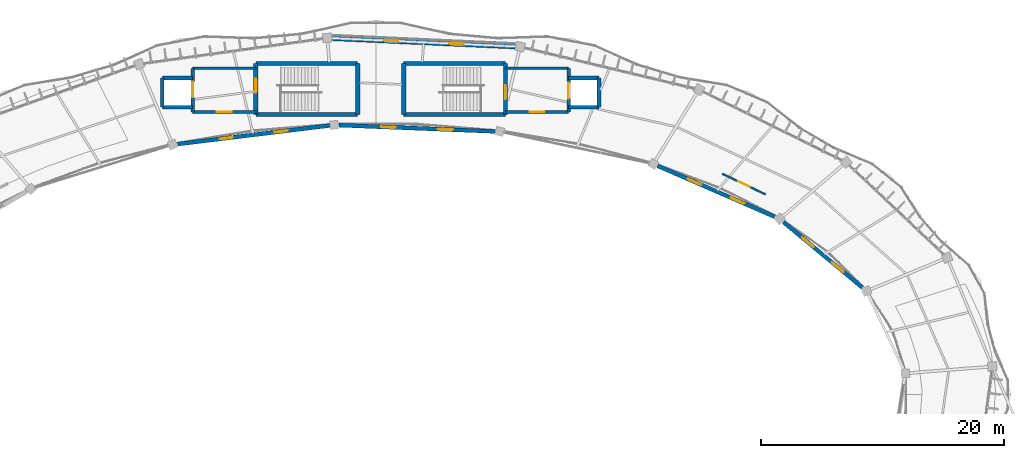
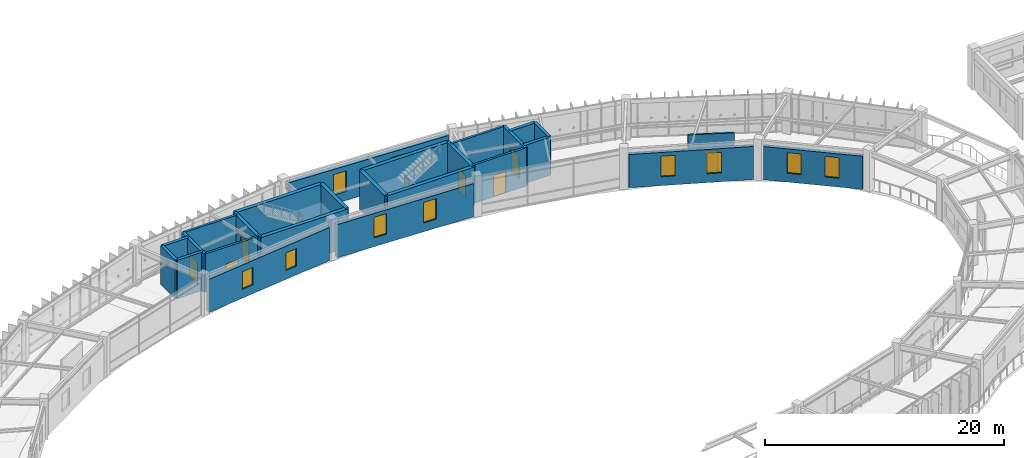
# One storey, part 125 of 152: 26 walls, 10 windows, 7 doors, 17 openings.
"""IFC4 building model written with IfcOpenShell, lengths in metres."""

from ifc_helpers import new_model, si_unit, direction, frame, frame_2d, origin, place, context, subcontext, project, spatial, rectangle, extrude, material, layer, layer_set, type_object, element, fill, save


model = new_model("IFC4")

# Units and contexts
model_context = context("Model", 3, precision=1e-05, world=origin(), true_north=direction((0.0, 1.0)))
body_context = subcontext(model_context, "Body", "Model", "MODEL_VIEW")
ifc_project = project(units=[si_unit("LENGTHUNIT", "METRE"), si_unit("AREAUNIT", "SQUARE_METRE"), si_unit("VOLUMEUNIT", "CUBIC_METRE"), si_unit("PLANEANGLEUNIT", "RADIAN"), si_unit("MASSUNIT", "GRAM", prefix="KILO"), si_unit("THERMODYNAMICTEMPERATUREUNIT", "KELVIN"), si_unit("POWERUNIT", "WATT")], contexts=[model_context])

# Site, building, storey
site_placement = place(None, origin())
site = spatial("IfcSite", under=ifc_project, at=site_placement, CompositionType="ELEMENT")
building_placement = place(site_placement, origin())
building = spatial("IfcBuilding", under=site, at=building_placement, Name="Darbajah Civic Hall", CompositionType="ELEMENT")
storey_placement = place(building_placement, frame((0.0, 0.0, 5.39990234375)))
storey = spatial("IfcBuildingStorey", under=building, at=storey_placement, Name="L01", CompositionType="ELEMENT", Elevation=5.39990234375)

# Wall, opening, door
ifc_material_1 = material(Name="Concrete C45/55", Category="concrete")
ifc_layer_1 = layer(ifc_material_1, 0.300048828125, Name="Concrete C45/55")
ifc_layer_set_1 = layer_set([ifc_layer_1], Name="Concrete C45/55")
wall_type_1 = type_object("IfcWallType", Name="Core Shear Wall 300mm", PredefinedType="SHEAR", material=ifc_layer_set_1)
wall_1_placement = place(storey_placement, frame((74.0, 116.699951171875, 0.0), z_axis=(0.0, 0.0, 1.0), x_axis=(0.0, -1.0, 0.0)))
wall_1 = element("IfcWall", 1, at=wall_1_placement, inside=storey, type_object=wall_type_1, Name="L01 firefighting lobby C01 wall W", PredefinedType="SHEAR", context=body_context, shape_type="SweptSolid", body=[
    extrude(rectangle(XDim=3.599853515625, YDim=0.300048828125, at=frame_2d((1.7998046875, 0.0))), origin(), (0.0, 0.0, 1.0), 3.920166015625),
])
opening_1_placement = place(wall_1_placement, frame((1.10009765625, 0.0, 0.0)))
opening_1 = element("IfcOpeningElement", 2, at=opening_1_placement, cuts=wall_1, Name="Opening LD-0016", PredefinedType="OPENING", context=body_context, shape_type="SweptSolid", body=[
    extrude(rectangle(XDim=1.300048828125, YDim=2.300048828125, at=frame_2d((0.64990234375, 1.14990234375))), frame((0.0, 0.159912109375, 0.0), z_axis=(0.0, -1.0, 0.0), x_axis=(1.0, 0.0, 0.0)), (0.0, 0.0, 1.0), 0.320068359375),
])
ifc_material_2 = material(Name="Firefighting Lift Landing Door")
door_type_1 = type_object("IfcDoorType", Name="Lift Landing Door 1300x2300", OperationType="SLIDING_TO_LEFT", PredefinedType="DOOR", material=ifc_material_2)
door_1_placement = place(opening_1_placement, origin())
door_1 = element("IfcDoor", 3, at=door_1_placement, inside=storey, type_object=door_type_1, Name="L01 firefighting lift FL1 landing door LD-0016", OperationType="SLIDING_TO_LEFT", OverallHeight=2.300048828125, OverallWidth=1.300048828125, PredefinedType="DOOR", context=body_context, shape_type="SweptSolid", body=[
    extrude(rectangle(XDim=1.300048828125, YDim=2.300048828125, at=frame_2d((0.64990234375, 1.14990234375))), frame((0.0, 0.02490234375, 0.0), z_axis=(0.0, -1.0, 0.0), x_axis=(1.0, 0.0, 0.0)), (0.0, 0.0, 1.0), 0.050048828125),
])
fill(opening_1, door_1)

# Walls
for number, where, z_axis, x_axis, name in (
    (4, (74.0, 115.89990234375, 0.0), (0.0, 0.0, 1.0), (-1.0, 0.0, 0.0), "L01 lift FL1 shaft wall N"),
    (5, (71.5, 113.5, 0.0), (0.0, 0.0, 1.0), (1.0, 0.0, 0.0), "L01 lift FL1 shaft wall S"),
):
    element("IfcWall", number, at=place(storey_placement, frame(where, z_axis=z_axis, x_axis=x_axis)), inside=storey, type_object=wall_type_1, Name=name, PredefinedType="SHEAR", context=body_context, shape_type="SweptSolid", body=[
        extrude(rectangle(XDim=2.5, YDim=0.300048828125, at=frame_2d((1.25, 0.0))), origin(), (0.0, 0.0, 1.0), 3.920166015625),
    ])
wall_2_placement = place(storey_placement, frame((71.5, 115.89990234375, 0.0), z_axis=(0.0, 0.0, 1.0), x_axis=(0.0, -1.0, 0.0)))
element("IfcWall", 6, at=wall_2_placement, inside=storey, type_object=wall_type_1, Name="L01 lift FL1 shaft wall OUT", PredefinedType="SHEAR", context=body_context, shape_type="SweptSolid", body=[
    extrude(rectangle(XDim=2.39990234375, YDim=0.300048828125, at=frame_2d((1.199951171875, 0.0))), origin(), (0.0, 0.0, 1.0), 3.920166015625),
])

# Wall, opening, door
wall_3_placement = place(storey_placement, frame((105.0, 113.10009765625, 0.0), z_axis=(0.0, 0.0, 1.0), x_axis=(0.0, 1.0, 0.0)))
wall_3 = element("IfcWall", 7, at=wall_3_placement, inside=storey, type_object=wall_type_1, Name="L01 firefighting lobby C02 wall E", PredefinedType="SHEAR", context=body_context, shape_type="SweptSolid", body=[
    extrude(rectangle(XDim=3.599853515625, YDim=0.300048828125, at=frame_2d((1.7998046875, 0.0))), origin(), (0.0, 0.0, 1.0), 3.920166015625),
])
opening_2_placement = place(wall_3_placement, frame((1.10009765625, 0.0, 0.0)))
opening_2 = element("IfcOpeningElement", 8, at=opening_2_placement, cuts=wall_3, Name="Opening LD-0037", PredefinedType="OPENING", context=body_context, shape_type="SweptSolid", body=[
    extrude(rectangle(XDim=1.300048828125, YDim=2.300048828125, at=frame_2d((0.64990234375, 1.14990234375))), frame((0.0, 0.159912109375, 0.0), z_axis=(0.0, -1.0, 0.0), x_axis=(1.0, 0.0, 0.0)), (0.0, 0.0, 1.0), 0.320068359375),
])
door_2_placement = place(opening_2_placement, origin())
door_2 = element("IfcDoor", 9, at=door_2_placement, inside=storey, type_object=door_type_1, Name="L01 firefighting lift FL2 landing door LD-0037", OperationType="SLIDING_TO_LEFT", OverallHeight=2.300048828125, OverallWidth=1.300048828125, PredefinedType="DOOR", context=body_context, shape_type="SweptSolid", body=[
    extrude(rectangle(XDim=1.300048828125, YDim=2.300048828125, at=frame_2d((0.64990234375, 1.14990234375))), frame((0.0, 0.02490234375, 0.0), z_axis=(0.0, -1.0, 0.0), x_axis=(1.0, 0.0, 0.0)), (0.0, 0.0, 1.0), 0.050048828125),
])
fill(opening_2, door_2)

# Walls
for number, where, z_axis, x_axis, name in (
    (10, (107.5, 115.89990234375, 0.0), (0.0, 0.0, 1.0), (-1.0, 0.0, 0.0), "L01 lift FL2 shaft wall N"),
    (11, (105.0, 113.5, 0.0), (0.0, 0.0, 1.0), (1.0, 0.0, 0.0), "L01 lift FL2 shaft wall S"),
):
    element("IfcWall", number, at=place(storey_placement, frame(where, z_axis=z_axis, x_axis=x_axis)), inside=storey, type_object=wall_type_1, Name=name, PredefinedType="SHEAR", context=body_context, shape_type="SweptSolid", body=[
        extrude(rectangle(XDim=2.5, YDim=0.300048828125, at=frame_2d((1.25, 0.0))), origin(), (0.0, 0.0, 1.0), 3.920166015625),
    ])
wall_4_placement = place(storey_placement, frame((107.5, 113.5, 0.0), z_axis=(0.0, 0.0, 1.0), x_axis=(0.0, 1.0, 0.0)))
element("IfcWall", 12, at=wall_4_placement, inside=storey, type_object=wall_type_1, Name="L01 lift FL2 shaft wall OUT", PredefinedType="SHEAR", context=body_context, shape_type="SweptSolid", body=[
    extrude(rectangle(XDim=2.39990234375, YDim=0.300048828125, at=frame_2d((1.199951171875, 0.0))), origin(), (0.0, 0.0, 1.0), 3.920166015625),
])
ifc_material_3 = material(Name="Concrete C50/60", Category="concrete")
ifc_layer_2 = layer(ifc_material_3, 0.35009765625, Name="Concrete C50/60")
ifc_layer_set_2 = layer_set([ifc_layer_2], Name="Concrete C50/60")
wall_type_2 = type_object("IfcWallType", Name="Core Shear Wall 350mm", PredefinedType="SHEAR", material=ifc_layer_set_2)
wall_5_placement = place(storey_placement, frame((79.199951171875, 112.89990234375, 0.0), z_axis=(0.0, 0.0, 1.0), x_axis=(1.0, 0.0, 0.0)))
element("IfcWall", 13, at=wall_5_placement, inside=storey, type_object=wall_type_2, Name="L01 core C01 shear wall S", PredefinedType="SHEAR", context=body_context, shape_type="SweptSolid", body=[
    extrude(rectangle(XDim=8.400146484375, YDim=0.35009765625, at=frame_2d((4.2001953125, 0.0))), origin(), (0.0, 0.0, 1.0), 3.920166015625),
])
wall_6_placement = place(storey_placement, frame((87.60009765625, 112.89990234375, 0.0), z_axis=(0.0, 0.0, 1.0), x_axis=(0.0, 1.0, 0.0)))
element("IfcWall", 14, at=wall_6_placement, inside=storey, type_object=wall_type_2, Name="L01 core C01 shear wall E", PredefinedType="SHEAR", context=body_context, shape_type="SweptSolid", body=[
    extrude(rectangle(XDim=4.2001953125, YDim=0.35009765625, at=frame_2d((2.10009765625, 0.0))), origin(), (0.0, 0.0, 1.0), 3.920166015625),
])
wall_7_placement = place(storey_placement, frame((87.60009765625, 117.10009765625, 0.0), z_axis=(0.0, 0.0, 1.0), x_axis=(-1.0, 0.0, 0.0)))
element("IfcWall", 15, at=wall_7_placement, inside=storey, type_object=wall_type_2, Name="L01 core C01 shear wall N", PredefinedType="SHEAR", context=body_context, shape_type="SweptSolid", body=[
    extrude(rectangle(XDim=8.400146484375, YDim=0.35009765625, at=frame_2d((4.2001953125, 0.0))), origin(), (0.0, 0.0, 1.0), 3.920166015625),
])

# Wall, opening, door
wall_8_placement = place(storey_placement, frame((79.199951171875, 117.10009765625, 0.0), z_axis=(0.0, 0.0, 1.0), x_axis=(0.0, -1.0, 0.0)))
wall_8 = element("IfcWall", 16, at=wall_8_placement, inside=storey, type_object=wall_type_2, Name="L01 core C01 shear wall W", PredefinedType="SHEAR", context=body_context, shape_type="SweptSolid", body=[
    extrude(rectangle(XDim=4.2001953125, YDim=0.35009765625, at=frame_2d((2.10009765625, 0.0))), origin(), (0.0, 0.0, 1.0), 3.920166015625),
])
opening_3_placement = place(wall_8_placement, frame((1.25, 0.0, 0.0)))
opening_3 = element("IfcOpeningElement", 17, at=opening_3_placement, cuts=wall_8, Name="Opening SD-0003", PredefinedType="OPENING", context=body_context, shape_type="SweptSolid", body=[
    extrude(rectangle(XDim=1.14990234375, YDim=2.199951171875, at=frame_2d((0.574951171875, 1.10009765625))), frame((0.0, 0.18505859375, 0.0), z_axis=(0.0, -1.0, 0.0), x_axis=(1.0, 0.0, 0.0)), (0.0, 0.0, 1.0), 0.3701171875),
])
ifc_material_4 = material(Name="Steel Rated Core Door", Category="steel")
door_type_2 = type_object("IfcDoorType", Name="Interior Door 1150x2200", OperationType="NOTDEFINED", PredefinedType="DOOR", material=ifc_material_4)
door_3_placement = place(opening_3_placement, origin())
door_3 = element("IfcDoor", 18, at=door_3_placement, inside=storey, type_object=door_type_2, Name="L01 stair ST01 fire door SD-0003", OperationType="SINGLE_SWING_RIGHT", OverallHeight=2.199951171875, OverallWidth=1.14990234375, PredefinedType="DOOR", context=body_context, shape_type="SweptSolid", body=[
    extrude(rectangle(XDim=1.14990234375, YDim=2.199951171875, at=frame_2d((0.574951171875, 1.10009765625))), frame((0.0, 0.02490234375, 0.0), z_axis=(0.0, -1.0, 0.0), x_axis=(1.0, 0.0, 0.0)), (0.0, 0.0, 1.0), 0.050048828125),
])
fill(opening_3, door_3)

# Wall
wall_9_placement = place(storey_placement, frame((91.39990234375, 112.89990234375, 0.0), z_axis=(0.0, 0.0, 1.0), x_axis=(1.0, 0.0, 0.0)))
element("IfcWall", 19, at=wall_9_placement, inside=storey, type_object=wall_type_2, Name="L01 core C02 shear wall S", PredefinedType="SHEAR", context=body_context, shape_type="SweptSolid", body=[
    extrude(rectangle(XDim=8.400146484375, YDim=0.35009765625, at=frame_2d((4.2001953125, 0.0))), origin(), (0.0, 0.0, 1.0), 3.920166015625),
])

# Wall, opening, door
wall_10_placement = place(storey_placement, frame((99.800048828125, 112.89990234375, 0.0), z_axis=(0.0, 0.0, 1.0), x_axis=(0.0, 1.0, 0.0)))
wall_10 = element("IfcWall", 20, at=wall_10_placement, inside=storey, type_object=wall_type_2, Name="L01 core C02 shear wall E", PredefinedType="SHEAR", context=body_context, shape_type="SweptSolid", body=[
    extrude(rectangle(XDim=4.2001953125, YDim=0.35009765625, at=frame_2d((2.10009765625, 0.0))), origin(), (0.0, 0.0, 1.0), 3.920166015625),
])
opening_4_placement = place(wall_10_placement, frame((1.25, 0.0, 0.0)))
opening_4 = element("IfcOpeningElement", 21, at=opening_4_placement, cuts=wall_10, Name="Opening SD-0024", PredefinedType="OPENING", context=body_context, shape_type="SweptSolid", body=[
    extrude(rectangle(XDim=1.14990234375, YDim=2.199951171875, at=frame_2d((0.574951171875, 1.10009765625))), frame((0.0, 0.18505859375, 0.0), z_axis=(0.0, -1.0, 0.0), x_axis=(1.0, 0.0, 0.0)), (0.0, 0.0, 1.0), 0.3701171875),
])
door_4_placement = place(opening_4_placement, origin())
door_4 = element("IfcDoor", 22, at=door_4_placement, inside=storey, type_object=door_type_2, Name="L01 stair ST02 fire door SD-0024", OperationType="SINGLE_SWING_LEFT", OverallHeight=2.199951171875, OverallWidth=1.14990234375, PredefinedType="DOOR", context=body_context, shape_type="SweptSolid", body=[
    extrude(rectangle(XDim=1.14990234375, YDim=2.199951171875, at=frame_2d((0.574951171875, 1.10009765625))), frame((0.0, 0.02490234375, 0.0), z_axis=(0.0, -1.0, 0.0), x_axis=(1.0, 0.0, 0.0)), (0.0, 0.0, 1.0), 0.050048828125),
])
fill(opening_4, door_4)

# Walls
wall_11_placement = place(storey_placement, frame((99.800048828125, 117.10009765625, 0.0), z_axis=(0.0, 0.0, 1.0), x_axis=(-1.0, 0.0, 0.0)))
element("IfcWall", 23, at=wall_11_placement, inside=storey, type_object=wall_type_2, Name="L01 core C02 shear wall N", PredefinedType="SHEAR", context=body_context, shape_type="SweptSolid", body=[
    extrude(rectangle(XDim=8.400146484375, YDim=0.35009765625, at=frame_2d((4.2001953125, 0.0))), origin(), (0.0, 0.0, 1.0), 3.920166015625),
])
wall_12_placement = place(storey_placement, frame((91.39990234375, 117.10009765625, 0.0), z_axis=(0.0, 0.0, 1.0), x_axis=(0.0, -1.0, 0.0)))
element("IfcWall", 24, at=wall_12_placement, inside=storey, type_object=wall_type_2, Name="L01 core C02 shear wall W", PredefinedType="SHEAR", context=body_context, shape_type="SweptSolid", body=[
    extrude(rectangle(XDim=4.2001953125, YDim=0.35009765625, at=frame_2d((2.10009765625, 0.0))), origin(), (0.0, 0.0, 1.0), 3.920166015625),
])

# Wall, openings, windows
ifc_material_5 = material(Name="Qatari Desert Limestone Ashlar", Category="masonry")
ifc_layer_3 = layer(ifc_material_5, 0.340087890625, Name="Qatari Desert Limestone Ashlar")
ifc_layer_set_3 = layer_set([ifc_layer_3], Name="Qatari Desert Limestone Ashlar")
wall_type_3 = type_object("IfcWallType", Name="Exterior Wall 340mm", PredefinedType="SOLIDWALL", material=ifc_layer_set_3)
wall_13_placement = place(storey_placement, frame((129.20068359375, 98.63720703125, 0.0), z_axis=(0.0, 0.0, 1.0), x_axis=(-0.769158388847, 0.639058192082, 0.0)))
wall_13 = element("IfcWall", 25, at=wall_13_placement, inside=storey, type_object=wall_type_3, Name="L01 exterior wall EW-340", PredefinedType="SOLIDWALL", context=body_context, shape_type="SweptSolid", body=[
    extrude(rectangle(XDim=8.427734375, YDim=0.340087890625, at=frame_2d((4.2138671875, 0.0))), origin(), (0.0, 0.0, 1.0), 3.386962890625),
])
opening_5_placement = place(wall_13_placement, frame((2.00927734375, 0.0, 0.89990234375)))
opening_5 = element("IfcOpeningElement", 26, at=opening_5_placement, cuts=wall_13, Name="Opening WN-01", PredefinedType="OPENING", context=body_context, shape_type="SweptSolid", body=[
    extrude(rectangle(XDim=1.199951171875, YDim=2.10009765625, at=frame_2d((0.60009765625, 1.050048828125))), frame((0.0, 0.179931640625, 0.0), z_axis=(0.0, -1.0, 0.0), x_axis=(1.0, 0.0, 0.0)), (0.0, 0.0, 1.0), 0.360107421875),
])
opening_6_placement = place(wall_13_placement, frame((5.218505859375, 0.0, 0.89990234375)))
opening_6 = element("IfcOpeningElement", 27, at=opening_6_placement, cuts=wall_13, Name="Opening WN-01", PredefinedType="OPENING", context=body_context, shape_type="SweptSolid", body=[
    extrude(rectangle(XDim=1.199951171875, YDim=2.10009765625, at=frame_2d((0.60009765625, 1.050048828125))), frame((0.0, 0.179931640625, 0.0), z_axis=(0.0, -1.0, 0.0), x_axis=(1.0, 0.0, 0.0)), (0.0, 0.0, 1.0), 0.360107421875),
])
ifc_material_6 = material(Name="Low-E Solar Control Double Glazing", Category="glass")
window_type_1 = type_object("IfcWindowType", Name="Facade Window 1200x2100", PartitioningType="SINGLE_PANEL", PredefinedType="WINDOW", material=ifc_material_6)
window_1_placement = place(opening_5_placement, origin())
window_1 = element("IfcWindow", 28, at=window_1_placement, inside=storey, type_object=window_type_1, Name="L01 facade window WN-01", OverallHeight=2.10009765625, OverallWidth=1.199951171875, PartitioningType="SINGLE_PANEL", PredefinedType="WINDOW", context=body_context, shape_type="SweptSolid", body=[
    extrude(rectangle(XDim=1.199951171875, YDim=2.10009765625, at=frame_2d((0.60009765625, 1.050048828125))), frame((0.0, 0.030029296875, 0.0), z_axis=(0.0, -1.0, 0.0), x_axis=(1.0, 0.0, 0.0)), (0.0, 0.0, 1.0), 0.06005859375),
])
fill(opening_5, window_1)
window_2_placement = place(opening_6_placement, origin())
window_2 = element("IfcWindow", 29, at=window_2_placement, inside=storey, type_object=window_type_1, Name="L01 facade window WN-01", OverallHeight=2.10009765625, OverallWidth=1.199951171875, PartitioningType="SINGLE_PANEL", PredefinedType="WINDOW", context=body_context, shape_type="SweptSolid", body=[
    extrude(rectangle(XDim=1.199951171875, YDim=2.10009765625, at=frame_2d((0.60009765625, 1.050048828125))), frame((0.0, 0.030029296875, 0.0), z_axis=(0.0, -1.0, 0.0), x_axis=(1.0, 0.0, 0.0)), (0.0, 0.0, 1.0), 0.06005859375),
])
fill(opening_6, window_2)

wall_14_placement = place(storey_placement, frame((121.974853515625, 104.47021484375, 0.0), z_axis=(0.0, 0.0, 1.0), x_axis=(-0.91705563324, 0.398759282705, 0.0)))
wall_14 = element("IfcWall", 30, at=wall_14_placement, inside=storey, type_object=wall_type_3, Name="L01 exterior wall EW-340", PredefinedType="SOLIDWALL", context=body_context, shape_type="SweptSolid", body=[
    extrude(rectangle(XDim=10.495849609375, YDim=0.340087890625, at=frame_2d((5.248046875, 0.0))), origin(), (0.0, 0.0, 1.0), 3.386962890625),
])
opening_7_placement = place(wall_14_placement, frame((2.698486328125, 0.0, 0.89990234375)))
opening_7 = element("IfcOpeningElement", 31, at=opening_7_placement, cuts=wall_14, Name="Opening WN-01", PredefinedType="OPENING", context=body_context, shape_type="SweptSolid", body=[
    extrude(rectangle(XDim=1.199951171875, YDim=2.10009765625, at=frame_2d((0.60009765625, 1.050048828125))), frame((0.0, 0.179931640625, 0.0), z_axis=(0.0, -1.0, 0.0), x_axis=(1.0, 0.0, 0.0)), (0.0, 0.0, 1.0), 0.360107421875),
])
opening_8_placement = place(wall_14_placement, frame((6.59716796875, 0.0, 0.89990234375)))
opening_8 = element("IfcOpeningElement", 32, at=opening_8_placement, cuts=wall_14, Name="Opening WN-01", PredefinedType="OPENING", context=body_context, shape_type="SweptSolid", body=[
    extrude(rectangle(XDim=1.199951171875, YDim=2.10009765625, at=frame_2d((0.60009765625, 1.050048828125))), frame((0.0, 0.179931640625, 0.0), z_axis=(0.0, -1.0, 0.0), x_axis=(1.0, 0.0, 0.0)), (0.0, 0.0, 1.0), 0.360107421875),
])
window_3_placement = place(opening_7_placement, origin())
window_3 = element("IfcWindow", 33, at=window_3_placement, inside=storey, type_object=window_type_1, Name="L01 facade window WN-01", OverallHeight=2.10009765625, OverallWidth=1.199951171875, PartitioningType="SINGLE_PANEL", PredefinedType="WINDOW", context=body_context, shape_type="SweptSolid", body=[
    extrude(rectangle(XDim=1.199951171875, YDim=2.10009765625, at=frame_2d((0.60009765625, 1.050048828125))), frame((0.0, 0.030029296875, 0.0), z_axis=(0.0, -1.0, 0.0), x_axis=(1.0, 0.0, 0.0)), (0.0, 0.0, 1.0), 0.06005859375),
])
fill(opening_7, window_3)
window_4_placement = place(opening_8_placement, origin())
window_4 = element("IfcWindow", 34, at=window_4_placement, inside=storey, type_object=window_type_1, Name="L01 facade window WN-01", OverallHeight=2.10009765625, OverallWidth=1.199951171875, PartitioningType="SINGLE_PANEL", PredefinedType="WINDOW", context=body_context, shape_type="SweptSolid", body=[
    extrude(rectangle(XDim=1.199951171875, YDim=2.10009765625, at=frame_2d((0.60009765625, 1.050048828125))), frame((0.0, 0.030029296875, 0.0), z_axis=(0.0, -1.0, 0.0), x_axis=(1.0, 0.0, 0.0)), (0.0, 0.0, 1.0), 0.06005859375),
])
fill(opening_8, window_4)

wall_15_placement = place(storey_placement, frame((98.911865234375, 111.50048828125, 0.0), z_axis=(0.0, 0.0, 1.0), x_axis=(-0.999198380478, 0.040032442472, 0.0)))
wall_15 = element("IfcWall", 35, at=wall_15_placement, inside=storey, type_object=wall_type_3, Name="L01 exterior wall EW-340", PredefinedType="SOLIDWALL", context=body_context, shape_type="SweptSolid", body=[
    extrude(rectangle(XDim=12.867919921875, YDim=0.340087890625, at=frame_2d((6.43408203125, 0.0))), origin(), (0.0, 0.0, 1.0), 3.386962890625),
])
opening_9_placement = place(wall_15_placement, frame((3.4892578125, 0.0, 0.89990234375)))
opening_9 = element("IfcOpeningElement", 36, at=opening_9_placement, cuts=wall_15, Name="Opening WN-01", PredefinedType="OPENING", context=body_context, shape_type="SweptSolid", body=[
    extrude(rectangle(XDim=1.199951171875, YDim=2.10009765625, at=frame_2d((0.60009765625, 1.050048828125))), frame((0.0, 0.179931640625, 0.0), z_axis=(0.0, -1.0, 0.0), x_axis=(1.0, 0.0, 0.0)), (0.0, 0.0, 1.0), 0.360107421875),
])
opening_10_placement = place(wall_15_placement, frame((8.1787109375, 0.0, 0.89990234375)))
opening_10 = element("IfcOpeningElement", 37, at=opening_10_placement, cuts=wall_15, Name="Opening WN-01", PredefinedType="OPENING", context=body_context, shape_type="SweptSolid", body=[
    extrude(rectangle(XDim=1.199951171875, YDim=2.10009765625, at=frame_2d((0.60009765625, 1.050048828125))), frame((0.0, 0.179931640625, 0.0), z_axis=(0.0, -1.0, 0.0), x_axis=(1.0, 0.0, 0.0)), (0.0, 0.0, 1.0), 0.360107421875),
])
window_5_placement = place(opening_9_placement, origin())
window_5 = element("IfcWindow", 38, at=window_5_placement, inside=storey, type_object=window_type_1, Name="L01 facade window WN-01", OverallHeight=2.10009765625, OverallWidth=1.199951171875, PartitioningType="SINGLE_PANEL", PredefinedType="WINDOW", context=body_context, shape_type="SweptSolid", body=[
    extrude(rectangle(XDim=1.199951171875, YDim=2.10009765625, at=frame_2d((0.60009765625, 1.050048828125))), frame((0.0, 0.030029296875, 0.0), z_axis=(0.0, -1.0, 0.0), x_axis=(1.0, 0.0, 0.0)), (0.0, 0.0, 1.0), 0.06005859375),
])
fill(opening_9, window_5)
window_6_placement = place(opening_10_placement, origin())
window_6 = element("IfcWindow", 39, at=window_6_placement, inside=storey, type_object=window_type_1, Name="L01 facade window WN-01", OverallHeight=2.10009765625, OverallWidth=1.199951171875, PartitioningType="SINGLE_PANEL", PredefinedType="WINDOW", context=body_context, shape_type="SweptSolid", body=[
    extrude(rectangle(XDim=1.199951171875, YDim=2.10009765625, at=frame_2d((0.60009765625, 1.050048828125))), frame((0.0, 0.030029296875, 0.0), z_axis=(0.0, -1.0, 0.0), x_axis=(1.0, 0.0, 0.0)), (0.0, 0.0, 1.0), 0.06005859375),
])
fill(opening_10, window_6)

wall_16_placement = place(storey_placement, frame((85.29931640625, 111.98681640625, 0.0), z_axis=(0.0, 0.0, 1.0), x_axis=(-0.992611887603, -0.121332767994, 0.0)))
wall_16 = element("IfcWall", 40, at=wall_16_placement, inside=storey, type_object=wall_type_3, Name="L01 exterior wall EW-340", PredefinedType="SOLIDWALL", context=body_context, shape_type="SweptSolid", body=[
    extrude(rectangle(XDim=12.624267578125, YDim=0.340087890625, at=frame_2d((6.31201171875, 0.0))), origin(), (0.0, 0.0, 1.0), 3.386962890625),
])
opening_11_placement = place(wall_16_placement, frame((3.474853515625, 0.0, 0.89990234375)))
opening_11 = element("IfcOpeningElement", 41, at=opening_11_placement, cuts=wall_16, Name="Opening WN-17", PredefinedType="OPENING", context=body_context, shape_type="SweptSolid", body=[
    extrude(rectangle(XDim=1.10009765625, YDim=1.800048828125, at=frame_2d((0.550048828125, 0.89990234375))), frame((0.0, 0.179931640625, 0.0), z_axis=(0.0, -1.0, 0.0), x_axis=(1.0, 0.0, 0.0)), (0.0, 0.0, 1.0), 0.360107421875),
])
opening_12_placement = place(wall_16_placement, frame((8.0498046875, 0.0, 0.89990234375)))
opening_12 = element("IfcOpeningElement", 42, at=opening_12_placement, cuts=wall_16, Name="Opening WN-17", PredefinedType="OPENING", context=body_context, shape_type="SweptSolid", body=[
    extrude(rectangle(XDim=1.10009765625, YDim=1.800048828125, at=frame_2d((0.550048828125, 0.89990234375))), frame((0.0, 0.179931640625, 0.0), z_axis=(0.0, -1.0, 0.0), x_axis=(1.0, 0.0, 0.0)), (0.0, 0.0, 1.0), 0.360107421875),
])
window_type_2 = type_object("IfcWindowType", Name="Facade Window 1100x1800", PartitioningType="SINGLE_PANEL", PredefinedType="WINDOW", material=ifc_material_6)
window_7_placement = place(opening_11_placement, origin())
window_7 = element("IfcWindow", 43, at=window_7_placement, inside=storey, type_object=window_type_2, Name="L01 facade window WN-17", OverallHeight=1.800048828125, OverallWidth=1.10009765625, PartitioningType="SINGLE_PANEL", PredefinedType="WINDOW", context=body_context, shape_type="SweptSolid", body=[
    extrude(rectangle(XDim=1.10009765625, YDim=1.800048828125, at=frame_2d((0.550048828125, 0.89990234375))), frame((0.0, 0.030029296875, 0.0), z_axis=(0.0, -1.0, 0.0), x_axis=(1.0, 0.0, 0.0)), (0.0, 0.0, 1.0), 0.06005859375),
])
fill(opening_11, window_7)
window_8_placement = place(opening_12_placement, origin())
window_8 = element("IfcWindow", 44, at=window_8_placement, inside=storey, type_object=window_type_2, Name="L01 facade window WN-17", OverallHeight=1.800048828125, OverallWidth=1.10009765625, PartitioningType="SINGLE_PANEL", PredefinedType="WINDOW", context=body_context, shape_type="SweptSolid", body=[
    extrude(rectangle(XDim=1.10009765625, YDim=1.800048828125, at=frame_2d((0.550048828125, 0.89990234375))), frame((0.0, 0.030029296875, 0.0), z_axis=(0.0, -1.0, 0.0), x_axis=(1.0, 0.0, 0.0)), (0.0, 0.0, 1.0), 0.06005859375),
])
fill(opening_12, window_8)

ifc_layer_4 = layer(ifc_material_5, 0.419921875, Name="Qatari Desert Limestone Ashlar")
ifc_layer_set_4 = layer_set([ifc_layer_4], Name="Qatari Desert Limestone Ashlar")
wall_type_4 = type_object("IfcWallType", Name="Exterior Wall 420mm", PredefinedType="SOLIDWALL", material=ifc_layer_set_4)
wall_17_placement = place(storey_placement, frame((100.565185546875, 118.5048828125, 0.0), z_axis=(0.0, 0.0, 1.0), x_axis=(-0.998965128477, 0.045482656993, 0.0)))
wall_17 = element("IfcWall", 45, at=wall_17_placement, inside=storey, type_object=wall_type_4, Name="L01 exterior wall EW-420", PredefinedType="SOLIDWALL", context=body_context, shape_type="SweptSolid", body=[
    extrude(rectangle(XDim=15.06201171875, YDim=0.419921875, at=frame_2d((7.531005859375, 0.0))), origin(), (0.0, 0.0, 1.0), 3.52001953125),
])
opening_13_placement = place(wall_17_placement, frame((4.220703125, 0.0, 0.89990234375)))
opening_13 = element("IfcOpeningElement", 46, at=opening_13_placement, cuts=wall_17, Name="Opening WN-01", PredefinedType="OPENING", context=body_context, shape_type="SweptSolid", body=[
    extrude(rectangle(XDim=1.199951171875, YDim=2.10009765625, at=frame_2d((0.60009765625, 1.050048828125))), frame((0.0, 0.219970703125, 0.0), z_axis=(0.0, -1.0, 0.0), x_axis=(1.0, 0.0, 0.0)), (0.0, 0.0, 1.0), 0.43994140625),
])
opening_14_placement = place(wall_17_placement, frame((9.641357421875, 0.0, 0.89990234375)))
opening_14 = element("IfcOpeningElement", 47, at=opening_14_placement, cuts=wall_17, Name="Opening WN-01", PredefinedType="OPENING", context=body_context, shape_type="SweptSolid", body=[
    extrude(rectangle(XDim=1.199951171875, YDim=2.10009765625, at=frame_2d((0.60009765625, 1.050048828125))), frame((0.0, 0.219970703125, 0.0), z_axis=(0.0, -1.0, 0.0), x_axis=(1.0, 0.0, 0.0)), (0.0, 0.0, 1.0), 0.43994140625),
])
window_9_placement = place(opening_13_placement, origin())
window_9 = element("IfcWindow", 48, at=window_9_placement, inside=storey, type_object=window_type_1, Name="L01 facade window WN-01", OverallHeight=2.10009765625, OverallWidth=1.199951171875, PartitioningType="SINGLE_PANEL", PredefinedType="WINDOW", context=body_context, shape_type="SweptSolid", body=[
    extrude(rectangle(XDim=1.199951171875, YDim=2.10009765625, at=frame_2d((0.60009765625, 1.050048828125))), frame((0.0, 0.030029296875, 0.0), z_axis=(0.0, -1.0, 0.0), x_axis=(1.0, 0.0, 0.0)), (0.0, 0.0, 1.0), 0.06005859375),
])
fill(opening_13, window_9)
window_10_placement = place(opening_14_placement, origin())
window_10 = element("IfcWindow", 49, at=window_10_placement, inside=storey, type_object=window_type_1, Name="L01 facade window WN-01", OverallHeight=2.10009765625, OverallWidth=1.199951171875, PartitioningType="SINGLE_PANEL", PredefinedType="WINDOW", context=body_context, shape_type="SweptSolid", body=[
    extrude(rectangle(XDim=1.199951171875, YDim=2.10009765625, at=frame_2d((0.60009765625, 1.050048828125))), frame((0.0, 0.030029296875, 0.0), z_axis=(0.0, -1.0, 0.0), x_axis=(1.0, 0.0, 0.0)), (0.0, 0.0, 1.0), 0.06005859375),
])
fill(opening_14, window_10)

# Wall, opening, door
ifc_layer_5 = layer(ifc_material_1, 0.219970703125, Name="Concrete C45/55")
ifc_layer_set_5 = layer_set([ifc_layer_5], Name="Concrete C45/55")
wall_type_5 = type_object("IfcWallType", Name="Firefighting Shaft Wall 220mm", PredefinedType="SOLIDWALL", material=ifc_layer_set_5)
wall_18_placement = place(storey_placement, frame((74.0, 113.10009765625, 0.0), z_axis=(0.0, 0.0, 1.0), x_axis=(1.0, 0.0, 0.0)))
wall_18 = element("IfcWall", 50, at=wall_18_placement, inside=storey, type_object=wall_type_5, Name="L01 firefighting lobby C01 wall S", PredefinedType="SOLIDWALL", context=body_context, shape_type="SweptSolid", body=[
    extrude(rectangle(XDim=5.199951171875, YDim=0.219970703125, at=frame_2d((2.60009765625, 0.0))), origin(), (0.0, 0.0, 1.0), 3.920166015625),
])
opening_15_placement = place(wall_18_placement, frame((2.0, 0.0, 0.0)))
opening_15 = element("IfcOpeningElement", 51, at=opening_15_placement, cuts=wall_18, Name="Opening FD-0004", PredefinedType="OPENING", context=body_context, shape_type="SweptSolid", body=[
    extrude(rectangle(XDim=1.199951171875, YDim=2.199951171875, at=frame_2d((0.60009765625, 1.10009765625))), frame((0.0, 0.119873046875, 0.0), z_axis=(0.0, -1.0, 0.0), x_axis=(1.0, 0.0, 0.0)), (0.0, 0.0, 1.0), 0.239990234375),
])
ifc_material_7 = material(Name="Painted Hardwood Fire Door", Category="wood")
door_type_3 = type_object("IfcDoorType", Name="Interior Door 1200x2200", OperationType="NOTDEFINED", PredefinedType="DOOR", material=ifc_material_7)
door_5_placement = place(opening_15_placement, origin())
door_5 = element("IfcDoor", 52, at=door_5_placement, inside=storey, type_object=door_type_3, Name="L01 firefighting lobby C01 entrance door FD-0004", OperationType="SINGLE_SWING_LEFT", OverallHeight=2.199951171875, OverallWidth=1.199951171875, PredefinedType="DOOR", context=body_context, shape_type="SweptSolid", body=[
    extrude(rectangle(XDim=1.199951171875, YDim=2.199951171875, at=frame_2d((0.60009765625, 1.10009765625))), frame((0.0, 0.02490234375, 0.0), z_axis=(0.0, -1.0, 0.0), x_axis=(1.0, 0.0, 0.0)), (0.0, 0.0, 1.0), 0.050048828125),
])
fill(opening_15, door_5)

# Wall
wall_19_placement = place(storey_placement, frame((79.199951171875, 116.699951171875, 0.0), z_axis=(0.0, 0.0, 1.0), x_axis=(-1.0, 0.0, 0.0)))
element("IfcWall", 53, at=wall_19_placement, inside=storey, type_object=wall_type_5, Name="L01 firefighting lobby C01 wall N", PredefinedType="SOLIDWALL", context=body_context, shape_type="SweptSolid", body=[
    extrude(rectangle(XDim=5.199951171875, YDim=0.219970703125, at=frame_2d((2.60009765625, 0.0))), origin(), (0.0, 0.0, 1.0), 3.920166015625),
])

# Wall, opening, door
wall_20_placement = place(storey_placement, frame((99.800048828125, 113.10009765625, 0.0), z_axis=(0.0, 0.0, 1.0), x_axis=(1.0, 0.0, 0.0)))
wall_20 = element("IfcWall", 54, at=wall_20_placement, inside=storey, type_object=wall_type_5, Name="L01 firefighting lobby C02 wall S", PredefinedType="SOLIDWALL", context=body_context, shape_type="SweptSolid", body=[
    extrude(rectangle(XDim=5.199951171875, YDim=0.219970703125, at=frame_2d((2.60009765625, 0.0))), origin(), (0.0, 0.0, 1.0), 3.920166015625),
])
opening_16_placement = place(wall_20_placement, frame((2.0, 0.0, 0.0)))
opening_16 = element("IfcOpeningElement", 55, at=opening_16_placement, cuts=wall_20, Name="Opening FD-0025", PredefinedType="OPENING", context=body_context, shape_type="SweptSolid", body=[
    extrude(rectangle(XDim=1.199951171875, YDim=2.199951171875, at=frame_2d((0.60009765625, 1.10009765625))), frame((0.0, 0.119873046875, 0.0), z_axis=(0.0, -1.0, 0.0), x_axis=(1.0, 0.0, 0.0)), (0.0, 0.0, 1.0), 0.239990234375),
])
door_6_placement = place(opening_16_placement, origin())
door_6 = element("IfcDoor", 56, at=door_6_placement, inside=storey, type_object=door_type_3, Name="L01 firefighting lobby C02 entrance door FD-0025", OperationType="SINGLE_SWING_RIGHT", OverallHeight=2.199951171875, OverallWidth=1.199951171875, PredefinedType="DOOR", context=body_context, shape_type="SweptSolid", body=[
    extrude(rectangle(XDim=1.199951171875, YDim=2.199951171875, at=frame_2d((0.60009765625, 1.10009765625))), frame((0.0, 0.02490234375, 0.0), z_axis=(0.0, -1.0, 0.0), x_axis=(1.0, 0.0, 0.0)), (0.0, 0.0, 1.0), 0.050048828125),
])
fill(opening_16, door_6)

# Wall
wall_21_placement = place(storey_placement, frame((105.0, 116.699951171875, 0.0), z_axis=(0.0, 0.0, 1.0), x_axis=(-1.0, 0.0, 0.0)))
element("IfcWall", 57, at=wall_21_placement, inside=storey, type_object=wall_type_5, Name="L01 firefighting lobby C02 wall N", PredefinedType="SOLIDWALL", context=body_context, shape_type="SweptSolid", body=[
    extrude(rectangle(XDim=5.199951171875, YDim=0.219970703125, at=frame_2d((2.60009765625, 0.0))), origin(), (0.0, 0.0, 1.0), 3.920166015625),
])

# Wall, opening, door
ifc_material_8 = material(Name="Gypsum Plasterboard on Steel Stud", Category="steel")
ifc_layer_6 = layer(ifc_material_8, 0.159912109375, Name="Gypsum Plasterboard on Steel Stud")
ifc_layer_set_6 = layer_set([ifc_layer_6], Name="Gypsum Plasterboard on Steel Stud")
wall_type_6 = type_object("IfcWallType", Name="Interior Partition 160mm", PredefinedType="PARTITIONING", material=ifc_layer_set_6)
wall_22_placement = place(storey_placement, frame((121.23193359375, 106.306396484375, 0.0), z_axis=(0.0, 0.0, 1.0), x_axis=(-0.902234931344, 0.431244859288, 0.0)))
wall_22 = element("IfcWall", 58, at=wall_22_placement, inside=storey, type_object=wall_type_6, Name="L01 interior partition L01-V1-03", PredefinedType="PARTITIONING", context=body_context, shape_type="SweptSolid", body=[
    extrude(rectangle(XDim=3.9375, YDim=0.159912109375, at=frame_2d((1.96875, 0.0))), origin(), (0.0, 0.0, 1.0), 3.860107421875),
])
opening_17_placement = place(wall_22_placement, frame((1.443603515625, 0.0, 0.0)))
opening_17 = element("IfcOpeningElement", 59, at=opening_17_placement, cuts=wall_22, Name="Opening D-0176", PredefinedType="OPENING", context=body_context, shape_type="SweptSolid", body=[
    extrude(rectangle(XDim=1.050048828125, YDim=2.14990234375, at=frame_2d((0.52490234375, 1.074951171875))), frame((0.0, 0.08984375, 0.0), z_axis=(0.0, -1.0, 0.0), x_axis=(1.0, 0.0, 0.0)), (0.0, 0.0, 1.0), 0.179931640625),
])
ifc_material_9 = material(Name="Acoustic Oak Office Door")
door_type_4 = type_object("IfcDoorType", Name="Interior Door 1050x2150", OperationType="NOTDEFINED", PredefinedType="DOOR", material=ifc_material_9)
door_7_placement = place(opening_17_placement, origin())
door_7 = element("IfcDoor", 60, at=door_7_placement, inside=storey, type_object=door_type_4, Name="L01 L01-V1-03 door D-0176", OperationType="SINGLE_SWING_LEFT", OverallHeight=2.14990234375, OverallWidth=1.050048828125, PredefinedType="DOOR", context=body_context, shape_type="SweptSolid", body=[
    extrude(rectangle(XDim=1.050048828125, YDim=2.14990234375, at=frame_2d((0.52490234375, 1.074951171875))), frame((0.0, 0.02490234375, 0.0), z_axis=(0.0, -1.0, 0.0), x_axis=(1.0, 0.0, 0.0)), (0.0, 0.0, 1.0), 0.050048828125),
])
fill(opening_17, door_7)

save(model, "model.ifc")
